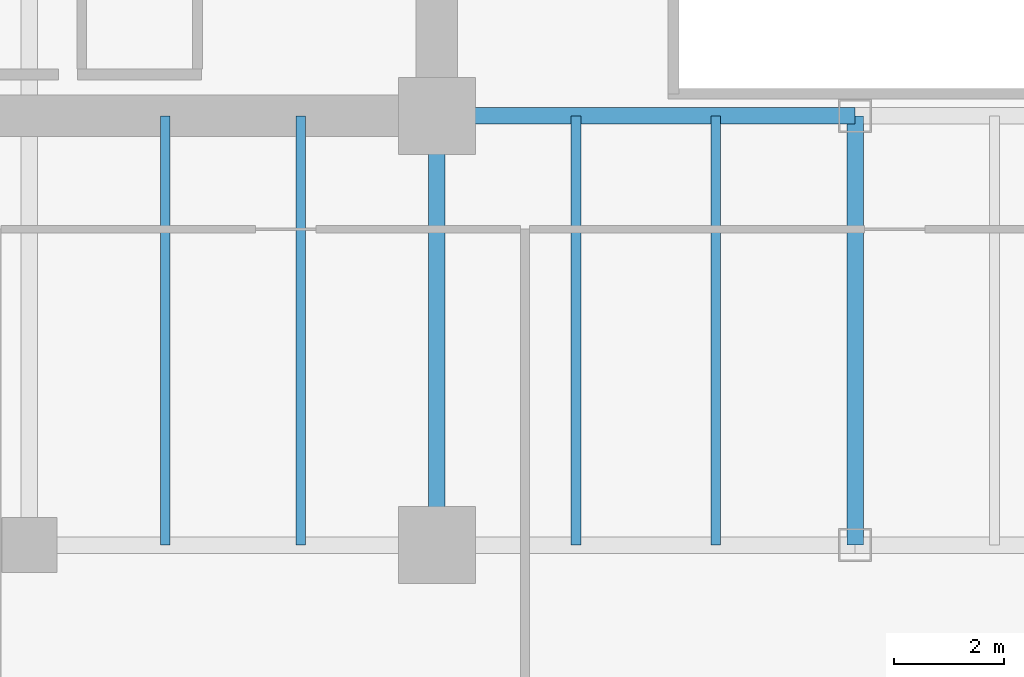
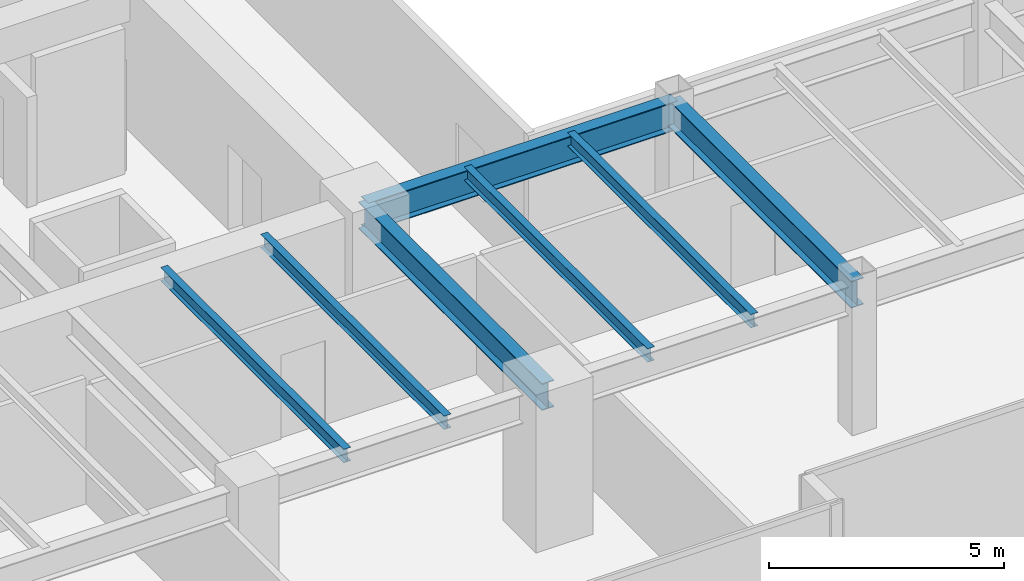
# One storey, part 5 of 35: 7 beams.
"""IFC4 building model written with IfcOpenShell, lengths in metres."""

from ifc_helpers import new_model, si_unit, direction, frame, origin, origin_2d, place, context, subcontext, project, spatial, i_section, extrude, source, transform, mapped, material, material_profile, profile_set, type_object, type_shapes, element, save


model = new_model("IFC4")

# Units and contexts
model_context = context("Model", 3, precision=1e-05, world=origin(), true_north=direction((0.0, 1.0)))
body_context = subcontext(model_context, "Body", "Model", "MODEL_VIEW")
ifc_project = project(units=[si_unit("LENGTHUNIT", "METRE"), si_unit("AREAUNIT", "SQUARE_METRE"), si_unit("VOLUMEUNIT", "CUBIC_METRE"), si_unit("PLANEANGLEUNIT", "RADIAN"), si_unit("MASSUNIT", "GRAM", prefix="KILO")], contexts=[model_context])

# Site, building, storey
site_placement = place(None, origin())
site = spatial("IfcSite", under=ifc_project, at=site_placement, CompositionType="ELEMENT")
building_placement = place(site_placement, origin())
building = spatial("IfcBuilding", under=site, at=building_placement, Name="Haelvirn Gate Laboratories", CompositionType="ELEMENT")
storey_placement = place(building_placement, frame((0.0, 0.0, 45.699951171875)))
storey = spatial("IfcBuildingStorey", under=building, at=storey_placement, Name="L11", CompositionType="ELEMENT", Elevation=45.699951171875)

# Beams
ifc_material = material(Name="Steel SM355", Category="steel")
ifc_material_profile_1 = material_profile(ifc_material, i_section(OverallWidth=0.300048828125, OverallDepth=0.699951171875, WebThickness=0.012939453125, FlangeThickness=0.02392578125, at=origin_2d()), Name="H-700x300x13x24")
ifc_profile_set_1 = profile_set([ifc_material_profile_1], Name="Steel SM355")
beam_type_1 = type_object("IfcBeamType", Name="BM-G-700", PredefinedType="BEAM", material=ifc_profile_set_1)
shared_shape_1 = source(origin(), body_context, "Body", "SweptSolid", [
    extrude(i_section(OverallWidth=0.300048828125, OverallDepth=0.699951171875, WebThickness=0.012939453125, FlangeThickness=0.02392578125, at=origin_2d()), origin(), (0.0, 0.0, 1.0), 7.800048828125),
])
type_shapes(beam_type_1, [shared_shape_1])
for number, where, z_axis, x_axis, name in (
    (1, (22.199951171875, 7.0, 3.429931640625), (0.0, 1.0, 0.0), (-1.0, 0.0, 0.0), "L11 Frame Girder X22.2 (7.0-14.8)"),
    (2, (29.800048828125, 7.0, 3.429931640625), (0.0, 1.0, 0.0), (-1.0, 0.0, 0.0), "L11 Frame Girder X29.8 (7.0-14.8)"),
):
    element("IfcBeam", number, at=place(storey_placement, frame(where, z_axis=z_axis, x_axis=x_axis)), inside=storey, type_object=beam_type_1, Name=name, PredefinedType="BEAM", context=body_context, shape_type="MappedRepresentation", body=[
        mapped(shared_shape_1, transform((0.0, 0.0, 0.0), scale=1.0)),
    ])
ifc_material_profile_2 = material_profile(ifc_material, i_section(OverallWidth=0.300048828125, OverallDepth=0.75, WebThickness=0.013916015625, FlangeThickness=0.02392578125, at=origin_2d()), Name="H-750x300x14x24")
ifc_profile_set_2 = profile_set([ifc_material_profile_2], Name="Steel SM355")
beam_type_2 = type_object("IfcBeamType", Name="BM-G-750", PredefinedType="BEAM", material=ifc_profile_set_2)
shared_shape_2 = source(origin(), body_context, "Body", "SweptSolid", [
    extrude(i_section(OverallWidth=0.300048828125, OverallDepth=0.75, WebThickness=0.013916015625, FlangeThickness=0.02392578125, at=origin_2d()), origin(), (0.0, 0.0, 1.0), 7.60009765625),
])
type_shapes(beam_type_2, [shared_shape_2])
beam_placement = place(storey_placement, frame((22.199951171875, 14.800048828125, 3.405029296875), z_axis=(1.0, 0.0, 0.0), x_axis=(0.0, 1.0, 0.0)))
element("IfcBeam", 3, at=beam_placement, inside=storey, type_object=beam_type_2, Name="L11 Primary Girder Y14.8 (22.2-29.8)", PredefinedType="BEAM", context=body_context, shape_type="MappedRepresentation", body=[
    mapped(shared_shape_2, transform((0.0, 0.0, 0.0), scale=1.0)),
])
ifc_material_profile_3 = material_profile(ifc_material, i_section(OverallWidth=0.175048828125, OverallDepth=0.35009765625, WebThickness=0.007080078125, FlangeThickness=0.010986328125, at=origin_2d()), Name="H-350x175x7x11")
ifc_profile_set_3 = profile_set([ifc_material_profile_3], Name="Steel SM355")
beam_type_3 = type_object("IfcBeamType", Name="BM-J-350", PredefinedType="JOIST", material=ifc_profile_set_3)
shared_shape_3 = source(origin(), body_context, "Body", "SweptSolid", [
    extrude(i_section(OverallWidth=0.175048828125, OverallDepth=0.35009765625, WebThickness=0.007080078125, FlangeThickness=0.010986328125, at=origin_2d()), origin(), (0.0, 0.0, 1.0), 7.800048828125),
])
type_shapes(beam_type_3, [shared_shape_3])
for number, where, z_axis, x_axis, name in (
    (4, (17.27001953125, 7.0, 3.60498046875), (0.0, 1.0, 0.0), (-1.0, 0.0, 0.0), "L11 Composite Lab Joist South X17.27"),
    (5, (19.72998046875, 7.0, 3.60498046875), (0.0, 1.0, 0.0), (-1.0, 0.0, 0.0), "L11 Composite Lab Joist South X19.73"),
    (6, (24.72998046875, 7.0, 3.60498046875), (0.0, 1.0, 0.0), (-1.0, 0.0, 0.0), "L11 Composite Lab Joist South X24.73"),
    (7, (27.27001953125, 7.0, 3.60498046875), (0.0, 1.0, 0.0), (-1.0, 0.0, 0.0), "L11 Composite Lab Joist South X27.27"),
):
    element("IfcBeam", number, at=place(storey_placement, frame(where, z_axis=z_axis, x_axis=x_axis)), inside=storey, type_object=beam_type_3, Name=name, PredefinedType="JOIST", context=body_context, shape_type="MappedRepresentation", body=[
        mapped(shared_shape_3, transform((0.0, 0.0, 0.0), scale=1.0)),
    ])

save(model, "model.ifc")
